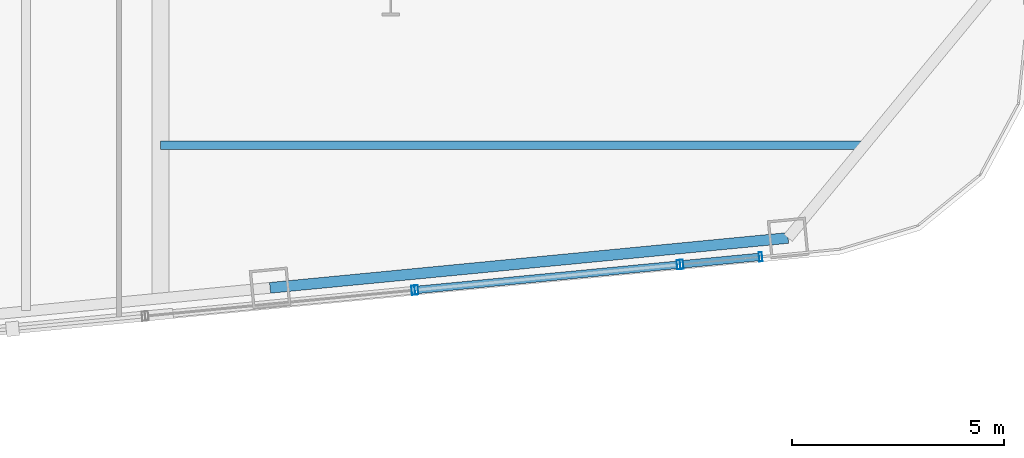
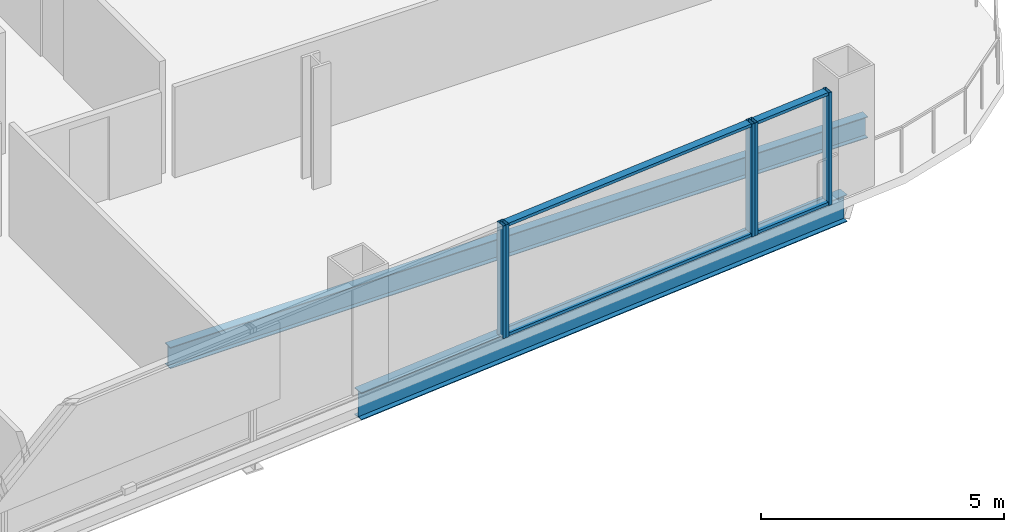
# One storey, part 13 of 34: 9 members, 2 beams, 3 elements without a shape of their own.
"""IFC4 building model written with IfcOpenShell, lengths in metres."""

from ifc_helpers import new_model, si_unit, direction, frame, origin, origin_2d, place, context, subcontext, project, spatial, hollow_rectangle, i_section, extrude, material, layer, layer_set, material_profile, profile_set, type_object, element, aggregate, save


model = new_model("IFC4")

# Units and contexts
model_context = context("Model", 3, precision=1e-05, world=origin(), true_north=direction((0.0, 1.0)))
body_context = subcontext(model_context, "Body", "Model", "MODEL_VIEW")
ifc_project = project(units=[si_unit("LENGTHUNIT", "METRE"), si_unit("AREAUNIT", "SQUARE_METRE"), si_unit("VOLUMEUNIT", "CUBIC_METRE"), si_unit("PLANEANGLEUNIT", "RADIAN"), si_unit("MASSUNIT", "GRAM", prefix="KILO")], contexts=[model_context])

# Site, building, storey
site_placement = place(None, origin())
site = spatial("IfcSite", under=ifc_project, at=site_placement, CompositionType="ELEMENT")
building_placement = place(site_placement, origin())
building = spatial("IfcBuilding", under=site, at=building_placement, Name="Qhalaya Broadcast Tower", CompositionType="ELEMENT")
storey_placement = place(building_placement, frame((0.0, 0.0, 78.60009765625)))
storey = spatial("IfcBuildingStorey", under=building, at=storey_placement, Name="L22", CompositionType="ELEMENT", Elevation=78.60009765625)

# Beams
ifc_material_1 = material(Name="Structural Steel ASTM A992 Grade 50", Category="steel")
ifc_material_profile_1 = material_profile(ifc_material_1, i_section(OverallWidth=0.2099609375, OverallDepth=0.535888671875, WebThickness=0.010986328125, FlangeThickness=0.017333984375, at=origin_2d()), Name="W21X68")
ifc_profile_set_1 = profile_set([ifc_material_profile_1], Name="Structural Steel ASTM A992 Grade 50")
beam_type_1 = type_object("IfcBeamType", Name="Composite Floor Joist J02", PredefinedType="JOIST", material=ifc_profile_set_1)
beam_1_placement = place(storey_placement, frame((9.375, -16.5, -0.488037109375), z_axis=(1.0, 0.0, 0.0), x_axis=(0.0, 1.0, 0.0)))
element("IfcBeam", 1, at=beam_1_placement, inside=storey, type_object=beam_type_1, Name="L22 J02 L22-JWE1E-1", PredefinedType="JOIST", context=body_context, shape_type="SweptSolid", body=[
    extrude(i_section(OverallWidth=0.2099609375, OverallDepth=0.535888671875, WebThickness=0.010986328125, FlangeThickness=0.017333984375, at=origin_2d()), origin(), (0.0, 0.0, 1.0), 16.56591796875),
])
ifc_material_profile_2 = material_profile(ifc_material_1, i_section(OverallWidth=0.25390625, OverallDepth=0.68310546875, WebThickness=0.012451171875, FlangeThickness=0.01904296875, at=origin_2d()), Name="W27X94")
ifc_profile_set_2 = profile_set([ifc_material_profile_2], Name="Structural Steel ASTM A992 Grade 50")
beam_type_2 = type_object("IfcBeamType", Name="Perimeter Ring Spandrel Beam SP1", PredefinedType="SPANDREL", material=ifc_profile_set_2)
beam_2_placement = place(storey_placement, frame((11.955078125, -19.861083984375, -0.5615234375), z_axis=(0.995397535354, 0.095831866369, 0.0), x_axis=(-0.095831866369, 0.995397535354, 0.0)))
element("IfcBeam", 2, at=beam_2_placement, inside=storey, type_object=beam_type_2, Name="L22 SP1 L22-SPR-03", PredefinedType="SPANDREL", context=body_context, shape_type="SweptSolid", body=[
    extrude(i_section(OverallWidth=0.25390625, OverallDepth=0.68310546875, WebThickness=0.012451171875, FlangeThickness=0.01904296875, at=origin_2d()), origin(), (0.0, 0.0, 1.0), 12.2666015625),
])

# Curtain wall, member
ifc_material_2 = material(Name="Solar-Control Low-E Triple Glazing", Category="glass")
ifc_layer_1 = layer(ifc_material_2, 0.219970703125, Name="Solar-Control Low-E Triple Glazing")
ifc_layer_set_1 = layer_set([ifc_layer_1], Name="Solar-Control Low-E Triple Glazing")
curtain_wall_type_1 = type_object("IfcCurtainWallType", Name="Even-Block 4-Storey Double-Module Curtain Wall CW-03", PredefinedType="NOTDEFINED", material=ifc_layer_set_1)
curtain_wall_1_placement = place(storey_placement, origin())
curtain_wall_1 = element("IfcCurtainWall", 3, at=curtain_wall_1_placement, inside=storey, type_object=curtain_wall_type_1, Name="L22 Unitised Curtain Wall L22-CW-S5", PredefinedType="NOTDEFINED")
ifc_material_3 = material(Name="Anodised Aluminium 6063-T6", Category="aluminium")
ifc_material_profile_3 = material_profile(ifc_material_3, hollow_rectangle(XDim=0.074951171875, YDim=0.219970703125, WallThickness=0.00390625, at=origin_2d()), Name="ALU-MUL 75x220x4")
ifc_profile_set_3 = profile_set([ifc_material_profile_3], Name="Anodised Aluminium 6063-T6")
member_type_1 = type_object("IfcMemberType", Name="Unitised Curtain-Wall Mullion M01", PredefinedType="MULLION", material=ifc_profile_set_3)
member_1_placement = place(storey_placement, frame((15.3310546875, -19.91796875, 0.0), z_axis=(0.0, 0.0, 1.0), x_axis=(0.99539731409, 0.095834164588, 0.0)))
member_1 = element("IfcMember", 4, at=member_1_placement, type_object=member_type_1, Name="CW-03 mullion 2", PredefinedType="MULLION", context=body_context, shape_type="SweptSolid", body=[
    extrude(hollow_rectangle(XDim=0.074951171875, YDim=0.219970703125, WallThickness=0.00390625, at=origin_2d()), origin(), (0.0, 0.0, 1.0), 2.829833984375),
])
aggregate(curtain_wall_1, [member_1])

# Curtain wall, members
ifc_material_4 = material(Name="Fired Architectural Terracotta", Category="masonry")
ifc_layer_2 = layer(ifc_material_4, 0.219970703125, Name="Fired Architectural Terracotta")
ifc_layer_set_2 = layer_set([ifc_layer_2], Name="Fired Architectural Terracotta")
curtain_wall_type_2 = type_object("IfcCurtainWallType", Name="Block-Cap Unitised Terracotta Spandrel Wall CW-07", PredefinedType="NOTDEFINED", material=ifc_layer_set_2)
curtain_wall_2_placement = place(storey_placement, origin())
curtain_wall_2 = element("IfcCurtainWall", 5, at=curtain_wall_2_placement, inside=storey, type_object=curtain_wall_type_2, Name="L22 Unitised Curtain Wall L22-CW-S6", PredefinedType="NOTDEFINED")
member_2_placement = place(storey_placement, frame((15.40576171875, -19.91064453125, 0.0), z_axis=(0.0, 0.0, 1.0), x_axis=(0.995394812364, 0.095860145627, 0.0)))
member_2 = element("IfcMember", 6, at=member_2_placement, type_object=member_type_1, Name="CW-07 mullion 1", PredefinedType="MULLION", context=body_context, shape_type="SweptSolid", body=[
    extrude(hollow_rectangle(XDim=0.074951171875, YDim=0.219970703125, WallThickness=0.00390625, at=origin_2d()), origin(), (0.0, 0.0, 1.0), 2.829833984375),
])
member_3_placement = place(storey_placement, frame((21.583251953125, -19.315673828125, 0.0), z_axis=(0.0, 0.0, 1.0), x_axis=(0.995394812364, 0.095860145627, 0.0)))
member_3 = element("IfcMember", 7, at=member_3_placement, type_object=member_type_1, Name="CW-07 mullion 2", PredefinedType="MULLION", context=body_context, shape_type="SweptSolid", body=[
    extrude(hollow_rectangle(XDim=0.074951171875, YDim=0.219970703125, WallThickness=0.00390625, at=origin_2d()), origin(), (0.0, 0.0, 1.0), 2.829833984375),
])

curtain_wall_3_placement = place(storey_placement, origin())
curtain_wall_3 = element("IfcCurtainWall", 8, at=curtain_wall_3_placement, inside=storey, type_object=curtain_wall_type_1, Name="L22 Unitised Curtain Wall L22-CW-S7", PredefinedType="NOTDEFINED")
member_4_placement = place(storey_placement, frame((21.65771484375, -19.30859375, 0.0), z_axis=(0.0, 0.0, 1.0), x_axis=(0.99539780127, 0.095829104278, 0.0)))
member_4 = element("IfcMember", 9, at=member_4_placement, type_object=member_type_1, Name="CW-03 mullion 1", PredefinedType="MULLION", context=body_context, shape_type="SweptSolid", body=[
    extrude(hollow_rectangle(XDim=0.074951171875, YDim=0.219970703125, WallThickness=0.00390625, at=origin_2d()), origin(), (0.0, 0.0, 1.0), 2.829833984375),
])
member_5_placement = place(storey_placement, frame((23.517333984375, -19.129638671875, 0.0), z_axis=(0.0, 0.0, 1.0), x_axis=(0.99539780127, 0.095829104278, 0.0)))
member_5 = element("IfcMember", 10, at=member_5_placement, type_object=member_type_1, Name="CW-03 mullion 2", PredefinedType="MULLION", context=body_context, shape_type="SweptSolid", body=[
    extrude(hollow_rectangle(XDim=0.074951171875, YDim=0.219970703125, WallThickness=0.00390625, at=origin_2d()), origin(), (0.0, 0.0, 1.0), 2.829833984375),
])

# Member
ifc_material_profile_4 = material_profile(ifc_material_3, hollow_rectangle(XDim=0.074951171875, YDim=0.179931640625, WallThickness=0.00390625, at=origin_2d()), Name="ALU-TRN 75x180x4")
ifc_profile_set_4 = profile_set([ifc_material_profile_4], Name="Anodised Aluminium 6063-T6")
member_type_2 = type_object("IfcMemberType", Name="Unitised Curtain-Wall Transom T01", PredefinedType="USERDEFINED", material=ifc_profile_set_4)
member_6_placement = place(storey_placement, frame((15.443115234375, -19.9072265625, 0.037353515625), z_axis=(0.995392160376, 0.095887679409, 0.0), x_axis=(0.0, 0.0, 1.0)))
member_6 = element("IfcMember", 11, at=member_6_placement, type_object=member_type_2, Name="CW-07 transom 1.1", ObjectType="TRANSOM", PredefinedType="USERDEFINED", context=body_context, shape_type="SweptSolid", body=[
    extrude(hollow_rectangle(XDim=0.074951171875, YDim=0.179931640625, WallThickness=0.00390625, at=origin_2d()), origin(), (0.0, 0.0, 1.0), 6.131103515625),
])

member_7_placement = place(storey_placement, frame((15.443115234375, -19.9072265625, 2.79248046875), z_axis=(0.995392160376, 0.095887679409, 0.0), x_axis=(0.0, 0.0, 1.0)))
member_7 = element("IfcMember", 12, at=member_7_placement, type_object=member_type_2, Name="CW-07 transom 1.2", ObjectType="TRANSOM", PredefinedType="USERDEFINED", context=body_context, shape_type="SweptSolid", body=[
    extrude(hollow_rectangle(XDim=0.074951171875, YDim=0.179931640625, WallThickness=0.00390625, at=origin_2d()), origin(), (0.0, 0.0, 1.0), 6.131103515625),
])

aggregate(curtain_wall_2, [member_2, member_3, member_6, member_7])

member_8_placement = place(storey_placement, frame((21.695068359375, -19.304931640625, 0.037353515625), z_axis=(0.995408779643, 0.09571500097, 0.0), x_axis=(0.0, 0.0, 1.0)))
member_8 = element("IfcMember", 13, at=member_8_placement, type_object=member_type_2, Name="CW-03 transom 1.1", ObjectType="TRANSOM", PredefinedType="USERDEFINED", context=body_context, shape_type="SweptSolid", body=[
    extrude(hollow_rectangle(XDim=0.074951171875, YDim=0.179931640625, WallThickness=0.00390625, at=origin_2d()), origin(), (0.0, 0.0, 1.0), 1.793212890625),
])

member_9_placement = place(storey_placement, frame((21.695068359375, -19.304931640625, 2.79248046875), z_axis=(0.995408779643, 0.09571500097, 0.0), x_axis=(0.0, 0.0, 1.0)))
member_9 = element("IfcMember", 14, at=member_9_placement, type_object=member_type_2, Name="CW-03 transom 1.2", ObjectType="TRANSOM", PredefinedType="USERDEFINED", context=body_context, shape_type="SweptSolid", body=[
    extrude(hollow_rectangle(XDim=0.074951171875, YDim=0.179931640625, WallThickness=0.00390625, at=origin_2d()), origin(), (0.0, 0.0, 1.0), 1.793212890625),
])

aggregate(curtain_wall_3, [member_4, member_5, member_8, member_9])

save(model, "model.ifc")
